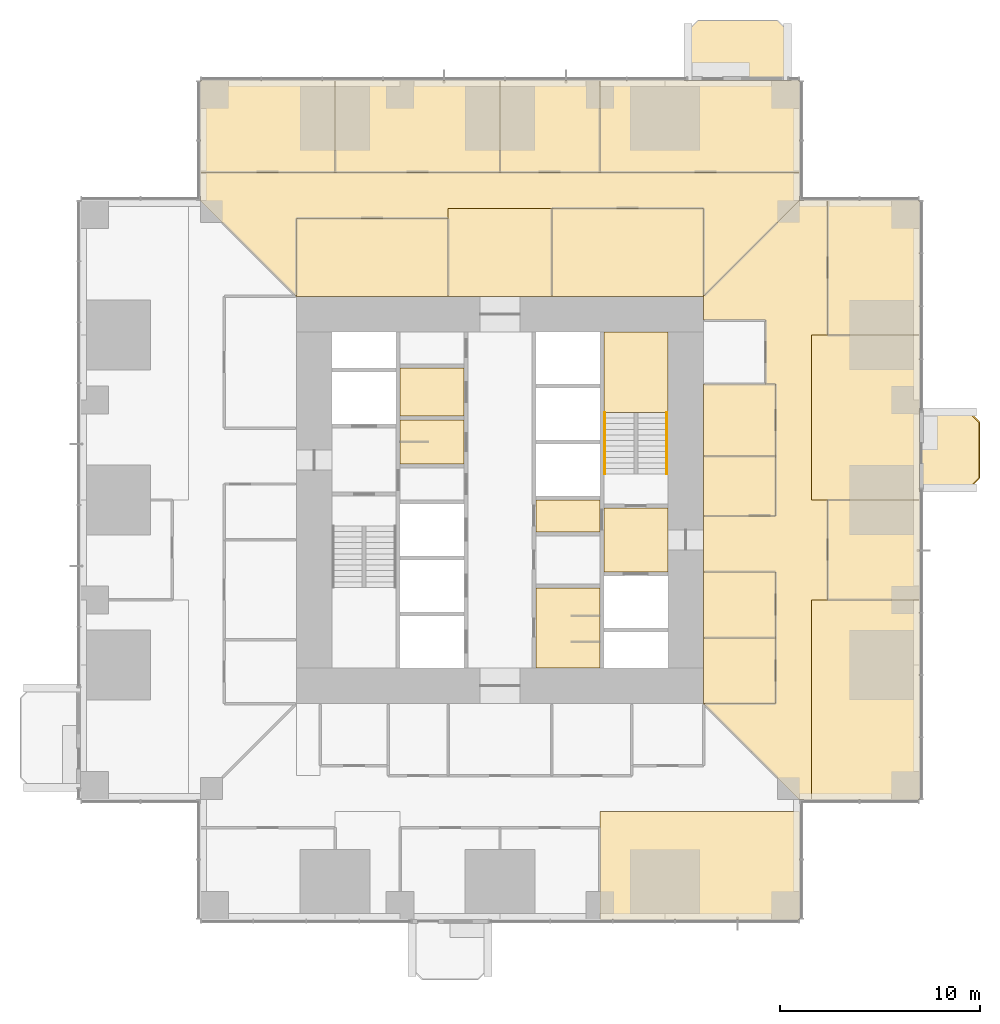
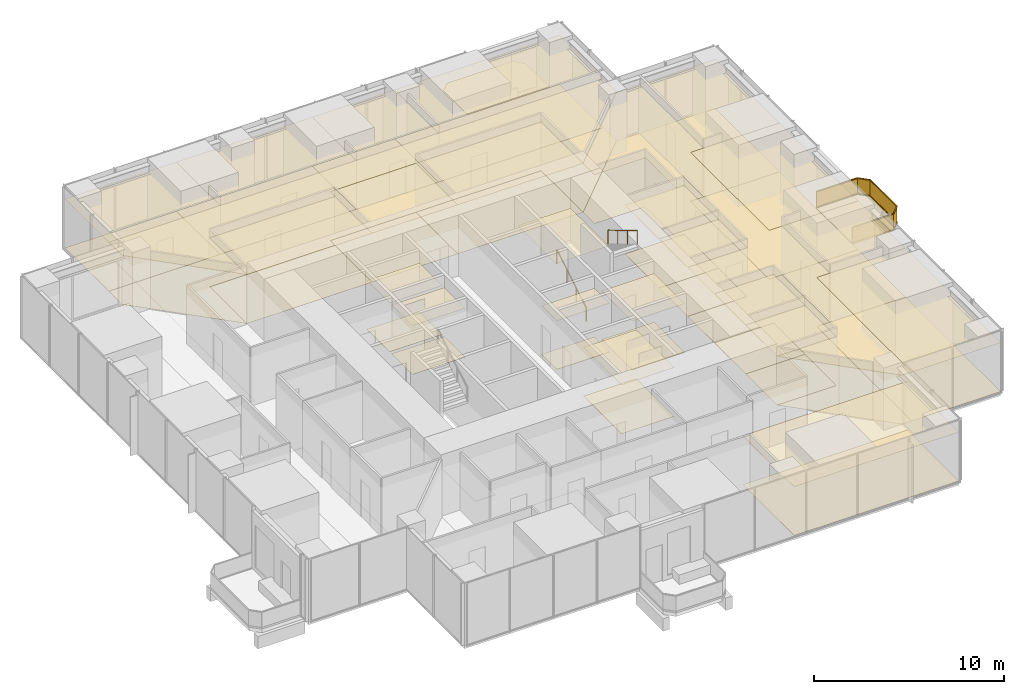
# One storey, part 16 of 18: 49 coverings, 3 railings.
"""IFC4 building model written with IfcOpenShell, lengths in metres."""

from ifc_helpers import new_model, si_unit, direction, frame, origin, origin_2d, place, context, subcontext, project, spatial, polyline, rectangle, circle, outline, extrude, material, layer, layer_set, type_object, element, save


model = new_model("IFC4")

# Units and contexts
model_context = context("Model", 3, precision=1e-05, world=origin(), true_north=direction((0.0, 1.0)))
body_context = subcontext(model_context, "Body", "Model", "MODEL_VIEW")
ifc_project = project(units=[si_unit("LENGTHUNIT", "METRE"), si_unit("AREAUNIT", "SQUARE_METRE"), si_unit("VOLUMEUNIT", "CUBIC_METRE"), si_unit("PLANEANGLEUNIT", "RADIAN"), si_unit("MASSUNIT", "GRAM", prefix="KILO")], contexts=[model_context])

# Site, building, storey
site_placement = place(None, origin())
site = spatial("IfcSite", under=ifc_project, at=site_placement, CompositionType="ELEMENT")
building_placement = place(site_placement, origin())
building = spatial("IfcBuilding", under=site, at=building_placement, Name="Svetlomir Tower", CompositionType="ELEMENT")
storey_placement = place(building_placement, frame((0.0, 0.0, 54.5)))
storey = spatial("IfcBuildingStorey", under=building, at=storey_placement, Name="L12", CompositionType="ELEMENT", Elevation=54.5)

# Railing
ifc_material_1 = material(Name="Bronze anodised aluminium and laminated glass", Category="aluminium")
railing_type_1 = type_object("IfcRailingType", Name="BALCONY GUARD GR1 1100", PredefinedType="GUARDRAIL", material=ifc_material_1)
railing_1_placement = place(storey_placement, frame((42.0, 21.60009765625, 0.0)))
element("IfcRailing", 1, at=railing_1_placement, inside=storey, type_object=railing_type_1, Name="Balcony guard E L12", PredefinedType="GUARDRAIL", context=body_context, shape_type="SweptSolid", body=[
    extrude(rectangle(XDim=0.06005859375, YDim=0.10009765625, at=origin_2d()), frame((0.0, 0.0, 0.050048828125), z_axis=(1.0, 0.0, 0.0), x_axis=(0.0, 1.0, 0.0)), (0.0, 0.0, 1.0), 2.5),
    extrude(rectangle(XDim=0.021484375, YDim=0.960205078125, at=origin_2d()), frame((0.0, 0.0, 0.580078125), z_axis=(1.0, 0.0, 0.0), x_axis=(0.0, 1.0, 0.0)), (0.0, 0.0, 1.0), 2.5),
    extrude(rectangle(XDim=0.06005859375, YDim=0.0400390625, at=origin_2d()), frame((0.0, 0.0, 1.080078125), z_axis=(1.0, 0.0, 0.0), x_axis=(0.0, 1.0, 0.0)), (0.0, 0.0, 1.0), 2.5),
    extrude(rectangle(XDim=0.06005859375, YDim=0.10009765625, at=origin_2d()), frame((2.5, 0.0, 0.050048828125), z_axis=(0.707106781187, 0.707106781187, 0.0), x_axis=(-0.707106781187, 0.707106781187, 0.0)), (0.0, 0.0, 1.0), 0.70703125),
    extrude(rectangle(XDim=0.021484375, YDim=0.960205078125, at=origin_2d()), frame((2.5, 0.0, 0.580078125), z_axis=(0.707106781187, 0.707106781187, 0.0), x_axis=(-0.707106781187, 0.707106781187, 0.0)), (0.0, 0.0, 1.0), 0.70703125),
    extrude(rectangle(XDim=0.06005859375, YDim=0.0400390625, at=origin_2d()), frame((2.5, 0.0, 1.080078125), z_axis=(0.707106781187, 0.707106781187, 0.0), x_axis=(-0.707106781187, 0.707106781187, 0.0)), (0.0, 0.0, 1.0), 0.70703125),
    extrude(rectangle(XDim=0.06005859375, YDim=0.10009765625, at=origin_2d()), frame((3.0, 0.5, 0.050048828125), z_axis=(0.0, 1.0, 0.0), x_axis=(-1.0, 0.0, 0.0)), (0.0, 0.0, 1.0), 2.7998046875),
    extrude(rectangle(XDim=0.021484375, YDim=0.960205078125, at=origin_2d()), frame((3.0, 0.5, 0.580078125), z_axis=(0.0, 1.0, 0.0), x_axis=(-1.0, 0.0, 0.0)), (0.0, 0.0, 1.0), 2.7998046875),
    extrude(rectangle(XDim=0.06005859375, YDim=0.0400390625, at=origin_2d()), frame((3.0, 0.5, 1.080078125), z_axis=(0.0, 1.0, 0.0), x_axis=(-1.0, 0.0, 0.0)), (0.0, 0.0, 1.0), 2.7998046875),
    extrude(rectangle(XDim=0.06005859375, YDim=0.10009765625, at=origin_2d()), frame((3.0, 3.2998046875, 0.050048828125), z_axis=(-0.707106781187, 0.707106781187, 0.0), x_axis=(-0.707106781187, -0.707106781187, 0.0)), (0.0, 0.0, 1.0), 0.70703125),
    extrude(rectangle(XDim=0.021484375, YDim=0.960205078125, at=origin_2d()), frame((3.0, 3.2998046875, 0.580078125), z_axis=(-0.707106781187, 0.707106781187, 0.0), x_axis=(-0.707106781187, -0.707106781187, 0.0)), (0.0, 0.0, 1.0), 0.70703125),
    extrude(rectangle(XDim=0.06005859375, YDim=0.0400390625, at=origin_2d()), frame((3.0, 3.2998046875, 1.080078125), z_axis=(-0.707106781187, 0.707106781187, 0.0), x_axis=(-0.707106781187, -0.707106781187, 0.0)), (0.0, 0.0, 1.0), 0.70703125),
    extrude(rectangle(XDim=0.06005859375, YDim=0.10009765625, at=origin_2d()), frame((2.5, 3.7998046875, 0.050048828125), z_axis=(-1.0, 0.0, 0.0), x_axis=(0.0, -1.0, 0.0)), (0.0, 0.0, 1.0), 2.5),
    extrude(rectangle(XDim=0.021484375, YDim=0.960205078125, at=origin_2d()), frame((2.5, 3.7998046875, 0.580078125), z_axis=(-1.0, 0.0, 0.0), x_axis=(0.0, -1.0, 0.0)), (0.0, 0.0, 1.0), 2.5),
    extrude(rectangle(XDim=0.06005859375, YDim=0.0400390625, at=origin_2d()), frame((2.5, 3.7998046875, 1.080078125), z_axis=(-1.0, 0.0, 0.0), x_axis=(0.0, -1.0, 0.0)), (0.0, 0.0, 1.0), 2.5),
])

# Coverings
ifc_material_2 = material(Name="Granite paving slabs on pedestals", Category="masonry")
ifc_layer_1 = layer(ifc_material_2, 0.0400390625)
ifc_layer_set_1 = layer_set([ifc_layer_1], Name="Granite paving slabs on pedestals")
covering_type_1 = type_object("IfcCoveringType", Name="BALCONY PAVING 40", PredefinedType="USERDEFINED", material=ifc_layer_set_1)
covering_1_placement = place(storey_placement, origin())
element("IfcCovering", 2, at=covering_1_placement, inside=storey, type_object=covering_type_1, Name="Balcony paving E L12", ObjectType="BALCONY PAVING", PredefinedType="USERDEFINED", context=body_context, shape_type="SweptSolid", body=[
    extrude(outline(polyline([(42.0, 21.60009765625), (44.5, 21.60009765625), (45.0, 22.10009765625), (45.0, 24.89990234375), (44.5, 25.39990234375), (42.0, 25.39990234375), (42.0, 21.60009765625)])), origin(), (0.0, 0.0, 1.0), 0.0400390625),
])
covering_2_placement = place(storey_placement, origin())
element("IfcCovering", 3, at=covering_2_placement, inside=storey, type_object=covering_type_1, Name="Balcony paving N L12", ObjectType="BALCONY PAVING", PredefinedType="USERDEFINED", context=body_context, shape_type="SweptSolid", body=[
    extrude(outline(polyline([(30.39990234375, 42.0), (35.39990234375, 42.0), (35.39990234375, 44.5), (34.89990234375, 45.0), (30.89990234375, 45.0), (30.39990234375, 44.5), (30.39990234375, 42.0)])), origin(), (0.0, 0.0, 1.0), 0.0400390625),
])
ifc_material_3 = material(Name="Carpet tile", Category="textile")
ifc_layer_2 = layer(ifc_material_3, 0.010009765625)
ifc_layer_set_2 = layer_set([ifc_layer_2], Name="Carpet tile")
covering_type_2 = type_object("IfcCoveringType", Name="CARPET TILE FLOOR 10", PredefinedType="FLOORING", material=ifc_layer_set_2)
covering_3_placement = place(storey_placement, origin())
element("IfcCovering", 4, at=covering_3_placement, inside=storey, type_object=covering_type_2, Name="Floor finish L12-20", PredefinedType="FLOORING", context=body_context, shape_type="SweptSolid", body=[
    extrude(outline(polyline([(31.199951171875, 10.800048828125), (34.800048828125, 10.800048828125), (34.800048828125, 14.10009765625), (31.199951171875, 14.10009765625), (31.199951171875, 10.800048828125)])), origin(), (0.0, 0.0, 1.0), 0.010009765625),
])
covering_4_placement = place(storey_placement, origin())
element("IfcCovering", 5, at=covering_4_placement, inside=storey, type_object=covering_type_2, Name="Floor finish L12-21", PredefinedType="FLOORING", context=body_context, shape_type="SweptSolid", body=[
    extrude(outline(polyline([(31.199951171875, 14.10009765625), (34.800048828125, 14.10009765625), (34.800048828125, 17.39990234375), (31.199951171875, 17.39990234375), (31.199951171875, 14.10009765625)])), origin(), (0.0, 0.0, 1.0), 0.010009765625),
])
covering_5_placement = place(storey_placement, origin())
element("IfcCovering", 6, at=covering_5_placement, inside=storey, type_object=covering_type_2, Name="Floor finish L12-22", PredefinedType="FLOORING", context=body_context, shape_type="SweptSolid", body=[
    extrude(outline(polyline([(31.199951171875, 23.199951171875), (34.800048828125, 23.199951171875), (34.800048828125, 26.800048828125), (31.199951171875, 26.800048828125), (31.199951171875, 23.199951171875)])), origin(), (0.0, 0.0, 1.0), 0.010009765625),
])
covering_6_placement = place(storey_placement, origin())
element("IfcCovering", 7, at=covering_6_placement, inside=storey, type_object=covering_type_2, Name="Floor finish L12-24", PredefinedType="FLOORING", context=body_context, shape_type="SweptSolid", body=[
    extrude(outline(polyline([(37.39990234375, 16.0), (42.0, 16.0), (42.0, 21.0), (37.39990234375, 21.0), (37.39990234375, 16.0)])), origin(), (0.0, 0.0, 1.0), 0.010009765625),
])
covering_7_placement = place(storey_placement, origin())
element("IfcCovering", 8, at=covering_7_placement, inside=storey, type_object=covering_type_2, Name="Floor finish L12-25", PredefinedType="FLOORING", context=body_context, shape_type="SweptSolid", body=[
    extrude(outline(polyline([(37.39990234375, 29.25), (42.0, 29.25), (42.0, 36.0), (37.39990234375, 36.0), (37.39990234375, 29.25)])), origin(), (0.0, 0.0, 1.0), 0.010009765625),
])
covering_8_placement = place(storey_placement, origin())
element("IfcCovering", 9, at=covering_8_placement, inside=storey, type_object=covering_type_2, Name="Floor finish L12-26", PredefinedType="FLOORING", context=body_context, shape_type="SweptSolid", body=[
    extrude(outline(polyline([(10.800048828125, 31.199951171875), (18.39990234375, 31.199951171875), (18.39990234375, 35.10009765625), (10.800048828125, 35.10009765625), (10.800048828125, 31.199951171875)])), origin(), (0.0, 0.0, 1.0), 0.010009765625),
])
covering_9_placement = place(storey_placement, origin())
element("IfcCovering", 10, at=covering_9_placement, inside=storey, type_object=covering_type_2, Name="Floor finish L12-27", PredefinedType="FLOORING", context=body_context, shape_type="SweptSolid", body=[
    extrude(outline(polyline([(23.60009765625, 31.199951171875), (31.199951171875, 31.199951171875), (31.199951171875, 35.60009765625), (23.60009765625, 35.60009765625), (23.60009765625, 31.199951171875)])), origin(), (0.0, 0.0, 1.0), 0.010009765625),
])
covering_10_placement = place(storey_placement, origin())
element("IfcCovering", 11, at=covering_10_placement, inside=storey, type_object=covering_type_2, Name="Floor finish L12-28", PredefinedType="FLOORING", context=body_context, shape_type="SweptSolid", body=[
    extrude(outline(polyline([(6.0, 37.39990234375), (12.75, 37.39990234375), (12.75, 42.0), (6.0, 42.0), (6.0, 37.39990234375)])), origin(), (0.0, 0.0, 1.0), 0.010009765625),
])
covering_11_placement = place(storey_placement, origin())
element("IfcCovering", 12, at=covering_11_placement, inside=storey, type_object=covering_type_2, Name="Floor finish L12-29", PredefinedType="FLOORING", context=body_context, shape_type="SweptSolid", body=[
    extrude(outline(polyline([(21.0, 37.39990234375), (26.0, 37.39990234375), (26.0, 42.0), (21.0, 42.0), (21.0, 37.39990234375)])), origin(), (0.0, 0.0, 1.0), 0.010009765625),
])
covering_12_placement = place(storey_placement, origin())
element("IfcCovering", 13, at=covering_12_placement, inside=storey, type_object=covering_type_2, Name="Floor finish L12-35", PredefinedType="FLOORING", context=body_context, shape_type="SweptSolid", body=[
    extrude(outline(polyline([(31.199951171875, 17.39990234375), (31.199951171875, 20.199951171875), (34.800048828125, 20.199951171875), (34.800048828125, 26.800048828125), (34.300048828125, 26.800048828125), (34.300048828125, 30.0), (31.199951171875, 30.0), (31.199951171875, 31.199951171875), (36.0, 36.0), (37.39990234375, 36.0), (37.39990234375, 29.25), (36.60009765625, 29.25), (36.60009765625, 21.0), (37.39990234375, 21.0), (37.39990234375, 16.0), (36.60009765625, 16.0), (36.60009765625, 6.0), (36.0, 6.0), (31.199951171875, 10.800048828125), (34.800048828125, 10.800048828125), (34.800048828125, 17.39990234375), (31.199951171875, 17.39990234375)])), origin(), (0.0, 0.0, 1.0), 0.010009765625),
])
covering_13_placement = place(storey_placement, origin())
element("IfcCovering", 14, at=covering_13_placement, inside=storey, type_object=covering_type_2, Name="Floor finish L12-36", PredefinedType="FLOORING", context=body_context, shape_type="SweptSolid", body=[
    extrude(outline(polyline([(6.0, 37.39990234375), (36.0, 37.39990234375), (36.0, 36.0), (31.199951171875, 31.199951171875), (31.199951171875, 35.60009765625), (18.39990234375, 35.60009765625), (18.39990234375, 35.10009765625), (10.800048828125, 35.10009765625), (10.800048828125, 31.199951171875), (6.0, 36.0), (6.0, 37.39990234375)])), origin(), (0.0, 0.0, 1.0), 0.010009765625),
])
covering_14_placement = place(storey_placement, origin())
element("IfcCovering", 15, at=covering_14_placement, inside=storey, type_object=covering_type_2, Name="Floor finish L12-39", PredefinedType="FLOORING", context=body_context, shape_type="SweptSolid", body=[
    extrude(outline(polyline([(26.0, 0.0), (26.0, 5.39990234375), (36.0, 5.39990234375), (36.0, 0.0), (26.0, 0.0)])), origin(), (0.0, 0.0, 1.0), 0.010009765625),
])
covering_15_placement = place(storey_placement, origin())
element("IfcCovering", 16, at=covering_15_placement, inside=storey, type_object=covering_type_2, Name="Floor finish L12-42", PredefinedType="FLOORING", context=body_context, shape_type="SweptSolid", body=[
    extrude(outline(polyline([(42.0, 21.0), (36.60009765625, 21.0), (36.60009765625, 29.25), (42.0, 29.25), (42.0, 21.0)])), origin(), (0.0, 0.0, 1.0), 0.010009765625),
])
covering_16_placement = place(storey_placement, origin())
element("IfcCovering", 17, at=covering_16_placement, inside=storey, type_object=covering_type_2, Name="Floor finish L12-43", PredefinedType="FLOORING", context=body_context, shape_type="SweptSolid", body=[
    extrude(outline(polyline([(42.0, 6.0), (36.60009765625, 6.0), (36.60009765625, 16.0), (42.0, 16.0), (42.0, 6.0)])), origin(), (0.0, 0.0, 1.0), 0.010009765625),
])
covering_17_placement = place(storey_placement, origin())
element("IfcCovering", 18, at=covering_17_placement, inside=storey, type_object=covering_type_2, Name="Floor finish L12-44", PredefinedType="FLOORING", context=body_context, shape_type="SweptSolid", body=[
    extrude(outline(polyline([(31.199951171875, 23.199951171875), (34.800048828125, 23.199951171875), (34.800048828125, 20.199951171875), (31.199951171875, 20.199951171875), (31.199951171875, 23.199951171875)])), origin(), (0.0, 0.0, 1.0), 0.010009765625),
])
covering_18_placement = place(storey_placement, origin())
element("IfcCovering", 19, at=covering_18_placement, inside=storey, type_object=covering_type_2, Name="Floor finish L12-45", PredefinedType="FLOORING", context=body_context, shape_type="SweptSolid", body=[
    extrude(outline(polyline([(21.0, 42.0), (21.0, 37.39990234375), (12.75, 37.39990234375), (12.75, 42.0), (21.0, 42.0)])), origin(), (0.0, 0.0, 1.0), 0.010009765625),
])
covering_19_placement = place(storey_placement, origin())
element("IfcCovering", 20, at=covering_19_placement, inside=storey, type_object=covering_type_2, Name="Floor finish L12-46", PredefinedType="FLOORING", context=body_context, shape_type="SweptSolid", body=[
    extrude(outline(polyline([(36.0, 42.0), (36.0, 37.39990234375), (26.0, 37.39990234375), (26.0, 42.0), (36.0, 42.0)])), origin(), (0.0, 0.0, 1.0), 0.010009765625),
])
covering_20_placement = place(storey_placement, origin())
element("IfcCovering", 21, at=covering_20_placement, inside=storey, type_object=covering_type_2, Name="Floor finish L12-47", PredefinedType="FLOORING", context=body_context, shape_type="SweptSolid", body=[
    extrude(outline(polyline([(18.39990234375, 31.199951171875), (18.39990234375, 35.60009765625), (23.60009765625, 35.60009765625), (23.60009765625, 31.199951171875), (18.39990234375, 31.199951171875)])), origin(), (0.0, 0.0, 1.0), 0.010009765625),
])
ifc_material_4 = material(Name="Ceramic floor tile", Category="ceramic")
ifc_layer_3 = layer(ifc_material_4, 0.014892578125)
ifc_layer_set_3 = layer_set([ifc_layer_3], Name="Ceramic floor tile")
covering_type_3 = type_object("IfcCoveringType", Name="CERAMIC TILE FLOOR 15", PredefinedType="FLOORING", material=ifc_layer_set_3)
covering_21_placement = place(storey_placement, origin())
element("IfcCovering", 22, at=covering_21_placement, inside=storey, type_object=covering_type_3, Name="Floor finish L12-04", PredefinedType="FLOORING", context=body_context, shape_type="SweptSolid", body=[
    extrude(outline(polyline([(16.0, 22.800048828125), (19.199951171875, 22.800048828125), (19.199951171875, 25.0), (16.0, 25.0), (16.0, 22.800048828125)])), origin(), (0.0, 0.0, 1.0), 0.014892578125),
])
covering_22_placement = place(storey_placement, origin())
element("IfcCovering", 23, at=covering_22_placement, inside=storey, type_object=covering_type_3, Name="Floor finish L12-05", PredefinedType="FLOORING", context=body_context, shape_type="SweptSolid", body=[
    extrude(outline(polyline([(16.0, 25.199951171875), (19.199951171875, 25.199951171875), (19.199951171875, 27.60009765625), (16.0, 27.60009765625), (16.0, 25.199951171875)])), origin(), (0.0, 0.0, 1.0), 0.014892578125),
])
covering_23_placement = place(storey_placement, origin())
element("IfcCovering", 24, at=covering_23_placement, inside=storey, type_object=covering_type_3, Name="Floor finish L12-08", PredefinedType="FLOORING", context=body_context, shape_type="SweptSolid", body=[
    extrude(outline(polyline([(22.800048828125, 12.60009765625), (26.0, 12.60009765625), (26.0, 16.60009765625), (22.800048828125, 16.60009765625), (22.800048828125, 12.60009765625)])), origin(), (0.0, 0.0, 1.0), 0.014892578125),
])

# Railings
ifc_material_5 = material(Name="Stainless steel", Category="steel")
railing_type_2 = type_object("IfcRailingType", Name="HANDRAIL HR1 900", PredefinedType="HANDRAIL", material=ifc_material_5)
railing_2_placement = place(storey_placement, frame((26.25, 22.300048828125, 0.166748046875)))
element("IfcRailing", 25, at=railing_2_placement, inside=storey, type_object=railing_type_2, Name="Handrail S2 flight 1 L12", PredefinedType="HANDRAIL", context=body_context, shape_type="SweptSolid", body=[
    extrude(circle(Radius=0.02392578125, at=origin_2d()), frame((0.0, 0.0, 0.8759765625), z_axis=(0.0, 0.859290745958, 0.51148745235), x_axis=(-1.0, 0.0, 0.0)), (0.0, 0.0, 1.0), 3.584228515625),
    extrude(circle(Radius=0.02099609375, at=origin_2d()), origin(), (0.0, 0.0, 1.0), 0.851806640625),
    extrude(circle(Radius=0.02099609375, at=origin_2d()), frame((0.0, 1.026611328125, 0.611083984375)), (0.0, 0.0, 1.0), 0.851806640625),
    extrude(circle(Radius=0.02099609375, at=origin_2d()), frame((0.0, 2.05322265625, 1.22216796875)), (0.0, 0.0, 1.0), 0.851806640625),
    extrude(circle(Radius=0.02099609375, at=origin_2d()), frame((0.0, 3.079833984375, 1.833251953125)), (0.0, 0.0, 1.0), 0.851806640625),
])
railing_3_placement = place(storey_placement, frame((29.35009765625, 25.3798828125, 2.166748046875)))
element("IfcRailing", 26, at=railing_3_placement, inside=storey, type_object=railing_type_2, Name="Handrail S2 flight 2 L12", PredefinedType="HANDRAIL", context=body_context, shape_type="SweptSolid", body=[
    extrude(circle(Radius=0.02392578125, at=origin_2d()), frame((0.0, 0.0, 0.8759765625), z_axis=(0.0, -0.859290745958, 0.51148745235), x_axis=(1.0, 0.0, 0.0)), (0.0, 0.0, 1.0), 3.584228515625),
    extrude(circle(Radius=0.02099609375, at=origin_2d()), origin(), (0.0, 0.0, 1.0), 0.851806640625),
    extrude(circle(Radius=0.02099609375, at=origin_2d()), frame((0.0, -1.026611328125, 0.611083984375)), (0.0, 0.0, 1.0), 0.851806640625),
    extrude(circle(Radius=0.02099609375, at=origin_2d()), frame((0.0, -2.05322265625, 1.22216796875)), (0.0, 0.0, 1.0), 0.851806640625),
    extrude(circle(Radius=0.02099609375, at=origin_2d()), frame((0.0, -3.079833984375, 1.833251953125)), (0.0, 0.0, 1.0), 0.851806640625),
])

# Coverings
ifc_material_6 = material(Name="Moisture resistant plasterboard ceiling", Category="gypsum")
ifc_layer_4 = layer(ifc_material_6, 0.012451171875)
ifc_layer_set_4 = layer_set([ifc_layer_4], Name="Moisture resistant plasterboard ceiling")
covering_type_4 = type_object("IfcCoveringType", Name="MOISTURE RESISTANT CEILING 12.5", PredefinedType="CEILING", material=ifc_layer_set_4)
covering_24_placement = place(storey_placement, frame((0.0, 0.0, 3.137451171875)))
element("IfcCovering", 27, at=covering_24_placement, inside=storey, type_object=covering_type_4, Name="Ceiling L12-04", PredefinedType="CEILING", context=body_context, shape_type="SweptSolid", body=[
    extrude(outline(polyline([(16.0, 22.800048828125), (19.199951171875, 22.800048828125), (19.199951171875, 25.0), (16.0, 25.0), (16.0, 22.800048828125)])), origin(), (0.0, 0.0, 1.0), 0.012451171875),
])
covering_25_placement = place(storey_placement, frame((0.0, 0.0, 3.137451171875)))
element("IfcCovering", 28, at=covering_25_placement, inside=storey, type_object=covering_type_4, Name="Ceiling L12-05", PredefinedType="CEILING", context=body_context, shape_type="SweptSolid", body=[
    extrude(outline(polyline([(16.0, 25.199951171875), (19.199951171875, 25.199951171875), (19.199951171875, 27.60009765625), (16.0, 27.60009765625), (16.0, 25.199951171875)])), origin(), (0.0, 0.0, 1.0), 0.012451171875),
])
covering_26_placement = place(storey_placement, frame((0.0, 0.0, 3.137451171875)))
element("IfcCovering", 29, at=covering_26_placement, inside=storey, type_object=covering_type_4, Name="Ceiling L12-08", PredefinedType="CEILING", context=body_context, shape_type="SweptSolid", body=[
    extrude(outline(polyline([(22.800048828125, 12.60009765625), (26.0, 12.60009765625), (26.0, 16.60009765625), (22.800048828125, 16.60009765625), (22.800048828125, 12.60009765625)])), origin(), (0.0, 0.0, 1.0), 0.012451171875),
])
ifc_material_7 = material(Name="Gypsum plasterboard ceiling", Category="gypsum")
ifc_layer_5 = layer(ifc_material_7, 0.014892578125)
ifc_layer_set_5 = layer_set([ifc_layer_5], Name="Gypsum plasterboard ceiling")
covering_type_5 = type_object("IfcCoveringType", Name="PLASTERBOARD CEILING 15", PredefinedType="CEILING", material=ifc_layer_set_5)
covering_27_placement = place(storey_placement, frame((0.0, 0.0, 3.135009765625)))
element("IfcCovering", 30, at=covering_27_placement, inside=storey, type_object=covering_type_5, Name="Ceiling L12-10", PredefinedType="CEILING", context=body_context, shape_type="SweptSolid", body=[
    extrude(outline(polyline([(22.800048828125, 19.39990234375), (26.0, 19.39990234375), (26.0, 21.0), (22.800048828125, 21.0), (22.800048828125, 19.39990234375)])), origin(), (0.0, 0.0, 1.0), 0.014892578125),
])
covering_28_placement = place(storey_placement, frame((0.0, 0.0, 3.135009765625)))
element("IfcCovering", 31, at=covering_28_placement, inside=storey, type_object=covering_type_5, Name="Ceiling L12-11", PredefinedType="CEILING", context=body_context, shape_type="SweptSolid", body=[
    extrude(outline(polyline([(26.199951171875, 17.39990234375), (29.39990234375, 17.39990234375), (29.39990234375, 20.60009765625), (26.199951171875, 20.60009765625), (26.199951171875, 17.39990234375)])), origin(), (0.0, 0.0, 1.0), 0.014892578125),
])
ifc_material_8 = material(Name="Studded rubber floor finish", Category="rubber")
ifc_layer_6 = layer(ifc_material_8, 0.006103515625)
ifc_layer_set_6 = layer_set([ifc_layer_6], Name="Studded rubber floor finish")
covering_type_6 = type_object("IfcCoveringType", Name="RUBBER LANDING FINISH 6", PredefinedType="FLOORING", material=ifc_layer_set_6)
covering_29_placement = place(storey_placement, frame((0.0, 0.0, 2.0)))
element("IfcCovering", 32, at=covering_29_placement, inside=storey, type_object=covering_type_6, Name="Stair S2 landing finish L12", PredefinedType="FLOORING", context=body_context, shape_type="SweptSolid", body=[
    extrude(outline(polyline([(26.199951171875, 25.3798828125), (29.39990234375, 25.3798828125), (29.39990234375, 29.39990234375), (26.199951171875, 29.39990234375), (26.199951171875, 25.3798828125)])), origin(), (0.0, 0.0, 1.0), 0.006103515625),
])
ifc_material_9 = material(Name="Mineral fibre ceiling tile", Category="mineral")
ifc_layer_7 = layer(ifc_material_9, 0.02001953125)
ifc_layer_set_7 = layer_set([ifc_layer_7], Name="Mineral fibre ceiling tile")
covering_type_7 = type_object("IfcCoveringType", Name="SUSPENDED CEILING 20", PredefinedType="CEILING", material=ifc_layer_set_7)
covering_30_placement = place(storey_placement, frame((0.0, 0.0, 3.1298828125)))
element("IfcCovering", 33, at=covering_30_placement, inside=storey, type_object=covering_type_7, Name="Ceiling L12-20", PredefinedType="CEILING", context=body_context, shape_type="SweptSolid", body=[
    extrude(outline(polyline([(31.199951171875, 10.800048828125), (34.800048828125, 10.800048828125), (34.800048828125, 14.10009765625), (31.199951171875, 14.10009765625), (31.199951171875, 10.800048828125)])), origin(), (0.0, 0.0, 1.0), 0.02001953125),
])
covering_31_placement = place(storey_placement, frame((0.0, 0.0, 3.1298828125)))
element("IfcCovering", 34, at=covering_31_placement, inside=storey, type_object=covering_type_7, Name="Ceiling L12-21", PredefinedType="CEILING", context=body_context, shape_type="SweptSolid", body=[
    extrude(outline(polyline([(31.199951171875, 14.10009765625), (34.800048828125, 14.10009765625), (34.800048828125, 17.39990234375), (31.199951171875, 17.39990234375), (31.199951171875, 14.10009765625)])), origin(), (0.0, 0.0, 1.0), 0.02001953125),
])
covering_32_placement = place(storey_placement, frame((0.0, 0.0, 3.1298828125)))
element("IfcCovering", 35, at=covering_32_placement, inside=storey, type_object=covering_type_7, Name="Ceiling L12-22", PredefinedType="CEILING", context=body_context, shape_type="SweptSolid", body=[
    extrude(outline(polyline([(31.199951171875, 23.199951171875), (34.800048828125, 23.199951171875), (34.800048828125, 26.800048828125), (31.199951171875, 26.800048828125), (31.199951171875, 23.199951171875)])), origin(), (0.0, 0.0, 1.0), 0.02001953125),
])
covering_33_placement = place(storey_placement, frame((0.0, 0.0, 3.1298828125)))
element("IfcCovering", 36, at=covering_33_placement, inside=storey, type_object=covering_type_7, Name="Ceiling L12-24", PredefinedType="CEILING", context=body_context, shape_type="SweptSolid", body=[
    extrude(outline(polyline([(37.39990234375, 16.0), (42.0, 16.0), (42.0, 21.0), (37.39990234375, 21.0), (37.39990234375, 16.0)])), origin(), (0.0, 0.0, 1.0), 0.02001953125),
])
covering_34_placement = place(storey_placement, frame((0.0, 0.0, 3.1298828125)))
element("IfcCovering", 37, at=covering_34_placement, inside=storey, type_object=covering_type_7, Name="Ceiling L12-25", PredefinedType="CEILING", context=body_context, shape_type="SweptSolid", body=[
    extrude(outline(polyline([(37.39990234375, 29.25), (42.0, 29.25), (42.0, 36.0), (37.39990234375, 36.0), (37.39990234375, 29.25)])), origin(), (0.0, 0.0, 1.0), 0.02001953125),
])
covering_35_placement = place(storey_placement, frame((0.0, 0.0, 3.1298828125)))
element("IfcCovering", 38, at=covering_35_placement, inside=storey, type_object=covering_type_7, Name="Ceiling L12-26", PredefinedType="CEILING", context=body_context, shape_type="SweptSolid", body=[
    extrude(outline(polyline([(10.800048828125, 31.199951171875), (18.39990234375, 31.199951171875), (18.39990234375, 35.10009765625), (10.800048828125, 35.10009765625), (10.800048828125, 31.199951171875)])), origin(), (0.0, 0.0, 1.0), 0.02001953125),
])
covering_36_placement = place(storey_placement, frame((0.0, 0.0, 3.1298828125)))
element("IfcCovering", 39, at=covering_36_placement, inside=storey, type_object=covering_type_7, Name="Ceiling L12-27", PredefinedType="CEILING", context=body_context, shape_type="SweptSolid", body=[
    extrude(outline(polyline([(23.60009765625, 31.199951171875), (31.199951171875, 31.199951171875), (31.199951171875, 35.60009765625), (23.60009765625, 35.60009765625), (23.60009765625, 31.199951171875)])), origin(), (0.0, 0.0, 1.0), 0.02001953125),
])
covering_37_placement = place(storey_placement, frame((0.0, 0.0, 3.1298828125)))
element("IfcCovering", 40, at=covering_37_placement, inside=storey, type_object=covering_type_7, Name="Ceiling L12-28", PredefinedType="CEILING", context=body_context, shape_type="SweptSolid", body=[
    extrude(outline(polyline([(6.0, 37.39990234375), (12.75, 37.39990234375), (12.75, 42.0), (6.0, 42.0), (6.0, 37.39990234375)])), origin(), (0.0, 0.0, 1.0), 0.02001953125),
])
covering_38_placement = place(storey_placement, frame((0.0, 0.0, 3.1298828125)))
element("IfcCovering", 41, at=covering_38_placement, inside=storey, type_object=covering_type_7, Name="Ceiling L12-29", PredefinedType="CEILING", context=body_context, shape_type="SweptSolid", body=[
    extrude(outline(polyline([(21.0, 37.39990234375), (26.0, 37.39990234375), (26.0, 42.0), (21.0, 42.0), (21.0, 37.39990234375)])), origin(), (0.0, 0.0, 1.0), 0.02001953125),
])
covering_39_placement = place(storey_placement, frame((0.0, 0.0, 3.1298828125)))
element("IfcCovering", 42, at=covering_39_placement, inside=storey, type_object=covering_type_7, Name="Ceiling L12-35", PredefinedType="CEILING", context=body_context, shape_type="SweptSolid", body=[
    extrude(outline(polyline([(31.199951171875, 17.39990234375), (31.199951171875, 20.199951171875), (34.800048828125, 20.199951171875), (34.800048828125, 26.800048828125), (34.300048828125, 26.800048828125), (34.300048828125, 30.0), (31.199951171875, 30.0), (31.199951171875, 31.199951171875), (36.0, 36.0), (37.39990234375, 36.0), (37.39990234375, 29.25), (36.60009765625, 29.25), (36.60009765625, 21.0), (37.39990234375, 21.0), (37.39990234375, 16.0), (36.60009765625, 16.0), (36.60009765625, 6.0), (36.0, 6.0), (31.199951171875, 10.800048828125), (34.800048828125, 10.800048828125), (34.800048828125, 17.39990234375), (31.199951171875, 17.39990234375)])), origin(), (0.0, 0.0, 1.0), 0.02001953125),
])
covering_40_placement = place(storey_placement, frame((0.0, 0.0, 3.1298828125)))
element("IfcCovering", 43, at=covering_40_placement, inside=storey, type_object=covering_type_7, Name="Ceiling L12-36", PredefinedType="CEILING", context=body_context, shape_type="SweptSolid", body=[
    extrude(outline(polyline([(6.0, 37.39990234375), (36.0, 37.39990234375), (36.0, 36.0), (31.199951171875, 31.199951171875), (31.199951171875, 35.60009765625), (18.39990234375, 35.60009765625), (18.39990234375, 35.10009765625), (10.800048828125, 35.10009765625), (10.800048828125, 31.199951171875), (6.0, 36.0), (6.0, 37.39990234375)])), origin(), (0.0, 0.0, 1.0), 0.02001953125),
])
covering_41_placement = place(storey_placement, frame((0.0, 0.0, 3.1298828125)))
element("IfcCovering", 44, at=covering_41_placement, inside=storey, type_object=covering_type_7, Name="Ceiling L12-39", PredefinedType="CEILING", context=body_context, shape_type="SweptSolid", body=[
    extrude(outline(polyline([(26.0, 0.0), (26.0, 5.39990234375), (36.0, 5.39990234375), (36.0, 0.0), (26.0, 0.0)])), origin(), (0.0, 0.0, 1.0), 0.02001953125),
])
covering_42_placement = place(storey_placement, frame((0.0, 0.0, 3.1298828125)))
element("IfcCovering", 45, at=covering_42_placement, inside=storey, type_object=covering_type_7, Name="Ceiling L12-42", PredefinedType="CEILING", context=body_context, shape_type="SweptSolid", body=[
    extrude(outline(polyline([(42.0, 21.0), (36.60009765625, 21.0), (36.60009765625, 29.25), (42.0, 29.25), (42.0, 21.0)])), origin(), (0.0, 0.0, 1.0), 0.02001953125),
])
covering_43_placement = place(storey_placement, frame((0.0, 0.0, 3.1298828125)))
element("IfcCovering", 46, at=covering_43_placement, inside=storey, type_object=covering_type_7, Name="Ceiling L12-43", PredefinedType="CEILING", context=body_context, shape_type="SweptSolid", body=[
    extrude(outline(polyline([(42.0, 6.0), (36.60009765625, 6.0), (36.60009765625, 16.0), (42.0, 16.0), (42.0, 6.0)])), origin(), (0.0, 0.0, 1.0), 0.02001953125),
])
covering_44_placement = place(storey_placement, frame((0.0, 0.0, 3.1298828125)))
element("IfcCovering", 47, at=covering_44_placement, inside=storey, type_object=covering_type_7, Name="Ceiling L12-44", PredefinedType="CEILING", context=body_context, shape_type="SweptSolid", body=[
    extrude(outline(polyline([(31.199951171875, 23.199951171875), (34.800048828125, 23.199951171875), (34.800048828125, 20.199951171875), (31.199951171875, 20.199951171875), (31.199951171875, 23.199951171875)])), origin(), (0.0, 0.0, 1.0), 0.02001953125),
])
covering_45_placement = place(storey_placement, frame((0.0, 0.0, 3.1298828125)))
element("IfcCovering", 48, at=covering_45_placement, inside=storey, type_object=covering_type_7, Name="Ceiling L12-45", PredefinedType="CEILING", context=body_context, shape_type="SweptSolid", body=[
    extrude(outline(polyline([(21.0, 42.0), (21.0, 37.39990234375), (12.75, 37.39990234375), (12.75, 42.0), (21.0, 42.0)])), origin(), (0.0, 0.0, 1.0), 0.02001953125),
])
covering_46_placement = place(storey_placement, frame((0.0, 0.0, 3.1298828125)))
element("IfcCovering", 49, at=covering_46_placement, inside=storey, type_object=covering_type_7, Name="Ceiling L12-46", PredefinedType="CEILING", context=body_context, shape_type="SweptSolid", body=[
    extrude(outline(polyline([(36.0, 42.0), (36.0, 37.39990234375), (26.0, 37.39990234375), (26.0, 42.0), (36.0, 42.0)])), origin(), (0.0, 0.0, 1.0), 0.02001953125),
])
covering_47_placement = place(storey_placement, frame((0.0, 0.0, 3.1298828125)))
element("IfcCovering", 50, at=covering_47_placement, inside=storey, type_object=covering_type_7, Name="Ceiling L12-47", PredefinedType="CEILING", context=body_context, shape_type="SweptSolid", body=[
    extrude(outline(polyline([(18.39990234375, 31.199951171875), (18.39990234375, 35.60009765625), (23.60009765625, 35.60009765625), (23.60009765625, 31.199951171875), (18.39990234375, 31.199951171875)])), origin(), (0.0, 0.0, 1.0), 0.02001953125),
])
ifc_material_10 = material(Name="Bronze-aggregate terrazzo", Category="stone")
ifc_layer_8 = layer(ifc_material_10, 0.030029296875)
ifc_layer_set_8 = layer_set([ifc_layer_8], Name="Bronze-aggregate terrazzo")
covering_type_8 = type_object("IfcCoveringType", Name="TERRAZZO FLOOR 30", PredefinedType="FLOORING", material=ifc_layer_set_8)
covering_48_placement = place(storey_placement, origin())
element("IfcCovering", 51, at=covering_48_placement, inside=storey, type_object=covering_type_8, Name="Floor finish L12-10", PredefinedType="FLOORING", context=body_context, shape_type="SweptSolid", body=[
    extrude(outline(polyline([(22.800048828125, 19.39990234375), (26.0, 19.39990234375), (26.0, 21.0), (22.800048828125, 21.0), (22.800048828125, 19.39990234375)])), origin(), (0.0, 0.0, 1.0), 0.030029296875),
])
covering_49_placement = place(storey_placement, origin())
element("IfcCovering", 52, at=covering_49_placement, inside=storey, type_object=covering_type_8, Name="Floor finish L12-11", PredefinedType="FLOORING", context=body_context, shape_type="SweptSolid", body=[
    extrude(outline(polyline([(26.199951171875, 17.39990234375), (29.39990234375, 17.39990234375), (29.39990234375, 20.60009765625), (26.199951171875, 20.60009765625), (26.199951171875, 17.39990234375)])), origin(), (0.0, 0.0, 1.0), 0.030029296875),
])

save(model, "model.ifc")
